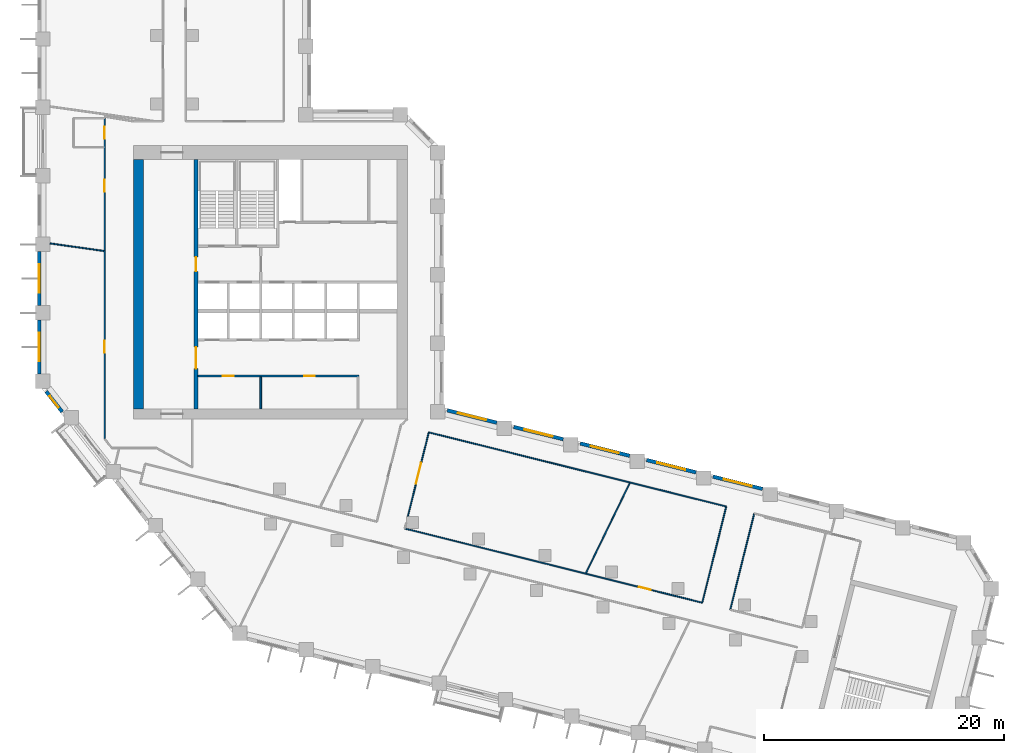
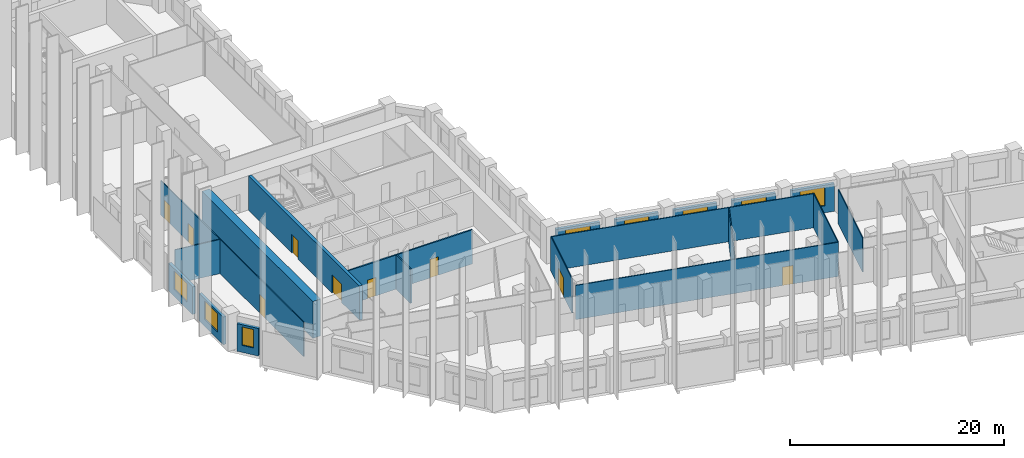
# One storey, part 4 of 10: 20 walls, 9 doors, 8 windows, 17 openings.
"""IFC4 building model written with IfcOpenShell, lengths in metres."""

from ifc_helpers import new_model, si_unit, direction, frame, frame_2d, origin, place, context, subcontext, project, spatial, rectangle, extrude, material, layer, layer_set, type_object, element, fill, save


model = new_model("IFC4")

# Units and contexts
model_context = context("Model", 3, precision=1e-05, world=origin(), true_north=direction((0.0, 1.0)))
body_context = subcontext(model_context, "Body", "Model", "MODEL_VIEW")
ifc_project = project(units=[si_unit("LENGTHUNIT", "METRE"), si_unit("AREAUNIT", "SQUARE_METRE"), si_unit("VOLUMEUNIT", "CUBIC_METRE"), si_unit("PLANEANGLEUNIT", "RADIAN"), si_unit("MASSUNIT", "GRAM", prefix="KILO")], contexts=[model_context])

# Site, building, storey
site_placement = place(None, origin())
site = spatial("IfcSite", under=ifc_project, at=site_placement, CompositionType="ELEMENT")
building_placement = place(site_placement, origin())
building = spatial("IfcBuilding", under=site, at=building_placement, Name="Meshkara Civic Tower", CompositionType="ELEMENT")
storey_placement = place(building_placement, frame((0.0, 0.0, 195.0)))
storey = spatial("IfcBuildingStorey", under=building, at=storey_placement, Name="L44", CompositionType="ELEMENT", Elevation=195.0)

# Wall, openings, doors
ifc_material_1 = material(Name="Blockwork", Category="masonry")
ifc_layer_1 = layer(ifc_material_1, 0.14990234375)
ifc_layer_set_1 = layer_set([ifc_layer_1], Name="Core partition 150")
wall_type_1 = type_object("IfcWallType", Name="Core partition 150", PredefinedType="PARTITIONING", material=ifc_layer_set_1)
wall_1_placement = place(storey_placement, frame((13.3701171875, 17.699951171875, 0.0), z_axis=(0.0, 0.0, 1.0), x_axis=(1.0, 0.0, 0.0)))
wall_1 = element("IfcWall", 1, at=wall_1_placement, inside=storey, type_object=wall_type_1, Name="L44-C005", PredefinedType="PARTITIONING", context=body_context, shape_type="SweptSolid", body=[
    extrude(rectangle(XDim=13.40478515625, YDim=0.14990234375, at=frame_2d((6.702392578125, 0.0))), origin(), (0.0, 0.0, 1.0), 3.89990234375),
])
opening_1_placement = place(wall_1_placement, frame((2.080078125, 0.0, 0.0)))
opening_1 = element("IfcOpeningElement", 2, at=opening_1_placement, cuts=wall_1, Name="Opening L44-K010", PredefinedType="OPENING", context=body_context, shape_type="SweptSolid", body=[
    extrude(rectangle(XDim=0.89990234375, YDim=2.10009765625, at=frame_2d((0.449951171875, 1.050048828125))), frame((0.0, 0.0849609375, 0.0), z_axis=(0.0, -1.0, 0.0), x_axis=(1.0, 0.0, 0.0)), (0.0, 0.0, 1.0), 0.169921875),
])
opening_2_placement = place(wall_1_placement, frame((8.830078125, 0.0, 0.0)))
opening_2 = element("IfcOpeningElement", 3, at=opening_2_placement, cuts=wall_1, Name="Opening L44-K011", PredefinedType="OPENING", context=body_context, shape_type="SweptSolid", body=[
    extrude(rectangle(XDim=0.89990234375, YDim=2.10009765625, at=frame_2d((0.449951171875, 1.050048828125))), frame((0.0, 0.0849609375, 0.0), z_axis=(0.0, -1.0, 0.0), x_axis=(1.0, 0.0, 0.0)), (0.0, 0.0, 1.0), 0.169921875),
])
ifc_material_2 = material(Name="Timber door leaf in steel frame", Category="steel")
door_type_1 = type_object("IfcDoorType", Name="Core room door 900", OperationType="SINGLE_SWING_LEFT", PredefinedType="DOOR", material=ifc_material_2)
door_1_placement = place(opening_1_placement, origin())
door_1 = element("IfcDoor", 4, at=door_1_placement, inside=storey, type_object=door_type_1, Name="L44-K010", OperationType="SINGLE_SWING_LEFT", OverallHeight=2.10009765625, OverallWidth=0.89990234375, PredefinedType="DOOR", context=body_context, shape_type="SweptSolid", body=[
    extrude(rectangle(XDim=0.89990234375, YDim=2.10009765625, at=frame_2d((0.449951171875, 1.050048828125))), frame((0.0, 0.02490234375, 0.0), z_axis=(0.0, -1.0, 0.0), x_axis=(1.0, 0.0, 0.0)), (0.0, 0.0, 1.0), 0.050048828125),
])
fill(opening_1, door_1)
door_2_placement = place(opening_2_placement, origin())
door_2 = element("IfcDoor", 5, at=door_2_placement, inside=storey, type_object=door_type_1, Name="L44-K011", OperationType="SINGLE_SWING_LEFT", OverallHeight=2.10009765625, OverallWidth=0.89990234375, PredefinedType="DOOR", context=body_context, shape_type="SweptSolid", body=[
    extrude(rectangle(XDim=0.89990234375, YDim=2.10009765625, at=frame_2d((0.449951171875, 1.050048828125))), frame((0.0, 0.02490234375, 0.0), z_axis=(0.0, -1.0, 0.0), x_axis=(1.0, 0.0, 0.0)), (0.0, 0.0, 1.0), 0.050048828125),
])
fill(opening_2, door_2)

# Walls
wall_2_placement = place(storey_placement, frame((18.60009765625, 14.949951171875, 0.0), z_axis=(0.0, 0.0, 1.0), x_axis=(0.0, 1.0, 0.0)))
element("IfcWall", 6, at=wall_2_placement, inside=storey, type_object=wall_type_1, Name="L44-C014", PredefinedType="PARTITIONING", context=body_context, shape_type="SweptSolid", body=[
    extrude(rectangle(XDim=2.675048828125, YDim=0.14990234375, at=frame_2d((1.33740234375, 0.0))), origin(), (0.0, 0.0, 1.0), 3.89990234375),
])
ifc_material_3 = material(Name="Concrete C70", Category="concrete")
ifc_layer_2 = layer(ifc_material_3, 0.85009765625)
ifc_layer_set_2 = layer_set([ifc_layer_2], Name="Core ring wall 850 C70")
wall_type_2 = type_object("IfcWallType", Name="Core ring wall 850 C70", PredefinedType="SHEAR", material=ifc_layer_set_2)
wall_3_placement = place(storey_placement, frame((8.425048828125, 14.949951171875, -0.300048828125), z_axis=(0.0, 0.0, 1.0), x_axis=(0.0, 1.0, 0.0)))
element("IfcWall", 7, at=wall_3_placement, inside=storey, type_object=wall_type_2, Name="L44-C003", PredefinedType="SHEAR", context=body_context, shape_type="SweptSolid", body=[
    extrude(rectangle(XDim=20.75, YDim=0.85009765625, at=frame_2d((10.375, 0.0))), origin(), (0.0, 0.0, 1.0), 4.199951171875),
])

# Wall, openings, doors
ifc_material_4 = material(Name="Concrete C70", Category="concrete")
ifc_layer_3 = layer(ifc_material_4, 0.340087890625)
ifc_layer_set_3 = layer_set([ifc_layer_3], Name="Core shear wall 340 C70")
wall_type_3 = type_object("IfcWallType", Name="Core shear wall 340 C70", PredefinedType="SHEAR", material=ifc_layer_set_3)
wall_4_placement = place(storey_placement, frame((13.199951171875, 14.949951171875, 0.0), z_axis=(0.0, 0.0, 1.0), x_axis=(0.0, 1.0, 0.0)))
wall_4 = element("IfcWall", 8, at=wall_4_placement, inside=storey, type_object=wall_type_3, Name="L44-C011", PredefinedType="SHEAR", context=body_context, shape_type="SweptSolid", body=[
    extrude(rectangle(XDim=20.75, YDim=0.340087890625, at=frame_2d((10.375, 0.0))), origin(), (0.0, 0.0, 1.0), 3.89990234375),
])
opening_3_placement = place(wall_4_placement, frame((3.35009765625, 0.0, 0.0)))
opening_3 = element("IfcOpeningElement", 9, at=opening_3_placement, cuts=wall_4, Name="Opening L44-K017", PredefinedType="OPENING", context=body_context, shape_type="SweptSolid", body=[
    extrude(rectangle(XDim=1.800048828125, YDim=2.10009765625, at=frame_2d((0.89990234375, 1.050048828125))), frame((0.0, 0.179931640625, 0.0), z_axis=(0.0, -1.0, 0.0), x_axis=(1.0, 0.0, 0.0)), (0.0, 0.0, 1.0), 0.360107421875),
])
opening_4_placement = place(wall_4_placement, frame((11.449951171875, 0.0, 0.0)))
opening_4 = element("IfcOpeningElement", 10, at=opening_4_placement, cuts=wall_4, Name="Opening L44-K018", PredefinedType="OPENING", context=body_context, shape_type="SweptSolid", body=[
    extrude(rectangle(XDim=1.199951171875, YDim=2.10009765625, at=frame_2d((0.60009765625, 1.050048828125))), frame((0.0, 0.179931640625, 0.0), z_axis=(0.0, -1.0, 0.0), x_axis=(1.0, 0.0, 0.0)), (0.0, 0.0, 1.0), 0.360107421875),
])
ifc_material_5 = material(Name="Fire-rated door leaf in steel frame", Category="steel")
door_type_2 = type_object("IfcDoorType", Name="Core double door 1800 EI 60", OperationType="DOUBLE_DOOR_SINGLE_SWING", PredefinedType="DOOR", material=ifc_material_5)
door_3_placement = place(opening_3_placement, origin())
door_3 = element("IfcDoor", 11, at=door_3_placement, inside=storey, type_object=door_type_2, Name="L44-K017", OperationType="DOUBLE_DOOR_SINGLE_SWING", OverallHeight=2.10009765625, OverallWidth=1.800048828125, PredefinedType="DOOR", context=body_context, shape_type="SweptSolid", body=[
    extrude(rectangle(XDim=1.800048828125, YDim=2.10009765625, at=frame_2d((0.89990234375, 1.050048828125))), frame((0.0, 0.02490234375, 0.0), z_axis=(0.0, -1.0, 0.0), x_axis=(1.0, 0.0, 0.0)), (0.0, 0.0, 1.0), 0.050048828125),
])
fill(opening_3, door_3)
ifc_material_6 = material(Name="Fire-rated door leaf in steel frame", Category="steel")
door_type_3 = type_object("IfcDoorType", Name="Fire-fighting lobby door 1200 EI 120", OperationType="SINGLE_SWING_LEFT", PredefinedType="DOOR", material=ifc_material_6)
door_4_placement = place(opening_4_placement, origin())
door_4 = element("IfcDoor", 12, at=door_4_placement, inside=storey, type_object=door_type_3, Name="L44-K018", OperationType="SINGLE_SWING_LEFT", OverallHeight=2.10009765625, OverallWidth=1.199951171875, PredefinedType="DOOR", context=body_context, shape_type="SweptSolid", body=[
    extrude(rectangle(XDim=1.199951171875, YDim=2.10009765625, at=frame_2d((0.60009765625, 1.050048828125))), frame((0.0, 0.02490234375, 0.0), z_axis=(0.0, -1.0, 0.0), x_axis=(1.0, 0.0, 0.0)), (0.0, 0.0, 1.0), 0.050048828125),
])
fill(opening_4, door_4)

ifc_material_7 = material(Name="Corridor wall 100")
ifc_layer_4 = layer(ifc_material_7, 0.10009765625)
ifc_layer_set_4 = layer_set([ifc_layer_4], Name="Corridor wall 100")
wall_type_4 = type_object("IfcWallType", Name="Corridor wall 100", PredefinedType="PARTITIONING", material=ifc_layer_set_4)
wall_5_placement = place(storey_placement, frame((5.60009765625, 12.450927734375, 0.0), z_axis=(0.0, 0.0, 1.0), x_axis=(0.0, 1.0, 0.0)))
wall_5 = element("IfcWall", 13, at=wall_5_placement, inside=storey, type_object=wall_type_4, Name="L44-W003", PredefinedType="PARTITIONING", context=body_context, shape_type="SweptSolid", body=[
    extrude(rectangle(XDim=26.698974609375, YDim=0.10009765625, at=frame_2d((13.349609375, 0.0))), origin(), (0.0, 0.0, 1.0), 3.89990234375),
])
opening_5_placement = place(wall_5_placement, frame((7.169921875, 0.0, 0.0)))
opening_5 = element("IfcOpeningElement", 14, at=opening_5_placement, cuts=wall_5, Name="Opening L44-D014", PredefinedType="OPENING", context=body_context, shape_type="SweptSolid", body=[
    extrude(rectangle(XDim=1.0, YDim=2.10009765625, at=frame_2d((0.5, 1.050048828125))), frame((0.0, 0.06005859375, 0.0), z_axis=(0.0, -1.0, 0.0), x_axis=(1.0, 0.0, 0.0)), (0.0, 0.0, 1.0), 0.1201171875),
])
opening_6_placement = place(wall_5_placement, frame((20.569091796875, 0.0, 0.0)))
opening_6 = element("IfcOpeningElement", 15, at=opening_6_placement, cuts=wall_5, Name="Opening L44-D015", PredefinedType="OPENING", context=body_context, shape_type="SweptSolid", body=[
    extrude(rectangle(XDim=1.0, YDim=2.10009765625, at=frame_2d((0.5, 1.050048828125))), frame((0.0, 0.06005859375, 0.0), z_axis=(0.0, -1.0, 0.0), x_axis=(1.0, 0.0, 0.0)), (0.0, 0.0, 1.0), 0.1201171875),
])
opening_7_placement = place(wall_5_placement, frame((24.97900390625, 0.0, 0.0)))
opening_7 = element("IfcOpeningElement", 16, at=opening_7_placement, cuts=wall_5, Name="Opening L44-D016", PredefinedType="OPENING", context=body_context, shape_type="SweptSolid", body=[
    extrude(rectangle(XDim=1.0, YDim=2.10009765625, at=frame_2d((0.5, 1.050048828125))), frame((0.0, 0.06005859375, 0.0), z_axis=(0.0, -1.0, 0.0), x_axis=(1.0, 0.0, 0.0)), (0.0, 0.0, 1.0), 0.1201171875),
])
ifc_material_8 = material(Name="Door 1000 x 2100")
door_type_4 = type_object("IfcDoorType", Name="Door 1000 x 2100", OperationType="SINGLE_SWING_LEFT", PredefinedType="DOOR", material=ifc_material_8)
door_5_placement = place(opening_5_placement, origin())
door_5 = element("IfcDoor", 17, at=door_5_placement, inside=storey, type_object=door_type_4, Name="L44-D014", OperationType="SINGLE_SWING_LEFT", OverallHeight=2.10009765625, OverallWidth=1.0, PredefinedType="DOOR", context=body_context, shape_type="SweptSolid", body=[
    extrude(rectangle(XDim=1.0, YDim=2.10009765625, at=frame_2d((0.5, 1.050048828125))), frame((0.0, 0.02490234375, 0.0), z_axis=(0.0, -1.0, 0.0), x_axis=(1.0, 0.0, 0.0)), (0.0, 0.0, 1.0), 0.050048828125),
])
fill(opening_5, door_5)
door_6_placement = place(opening_6_placement, origin())
door_6 = element("IfcDoor", 18, at=door_6_placement, inside=storey, type_object=door_type_4, Name="L44-D015", OperationType="SINGLE_SWING_LEFT", OverallHeight=2.10009765625, OverallWidth=1.0, PredefinedType="DOOR", context=body_context, shape_type="SweptSolid", body=[
    extrude(rectangle(XDim=1.0, YDim=2.10009765625, at=frame_2d((0.5, 1.050048828125))), frame((0.0, 0.02490234375, 0.0), z_axis=(0.0, -1.0, 0.0), x_axis=(1.0, 0.0, 0.0)), (0.0, 0.0, 1.0), 0.050048828125),
])
fill(opening_6, door_6)
door_7_placement = place(opening_7_placement, origin())
door_7 = element("IfcDoor", 19, at=door_7_placement, inside=storey, type_object=door_type_4, Name="L44-D016", OperationType="SINGLE_SWING_LEFT", OverallHeight=2.10009765625, OverallWidth=1.0, PredefinedType="DOOR", context=body_context, shape_type="SweptSolid", body=[
    extrude(rectangle(XDim=1.0, YDim=2.10009765625, at=frame_2d((0.5, 1.050048828125))), frame((0.0, 0.02490234375, 0.0), z_axis=(0.0, -1.0, 0.0), x_axis=(1.0, 0.0, 0.0)), (0.0, 0.0, 1.0), 0.050048828125),
])
fill(opening_7, door_7)

# Wall, opening, door
wall_6_placement = place(storey_placement, frame((30.590087890625, 4.991943359375, 0.0), z_axis=(0.0, 0.0, 1.0), x_axis=(0.97028916255, -0.241948219746, 0.0)))
wall_6 = element("IfcWall", 20, at=wall_6_placement, inside=storey, type_object=wall_type_4, Name="L44-W024", PredefinedType="PARTITIONING", context=body_context, shape_type="SweptSolid", body=[
    extrude(rectangle(XDim=25.526123046875, YDim=0.10009765625, at=frame_2d((12.76318359375, 0.0))), origin(), (0.0, 0.0, 1.0), 3.89990234375),
])
opening_8_placement = place(wall_6_placement, frame((20.10107421875, 0.0, 0.0)))
opening_8 = element("IfcOpeningElement", 21, at=opening_8_placement, cuts=wall_6, Name="Opening L44-D008", PredefinedType="OPENING", context=body_context, shape_type="SweptSolid", body=[
    extrude(rectangle(XDim=1.0, YDim=2.10009765625, at=frame_2d((0.5, 1.050048828125))), frame((0.0, 0.06005859375, 0.0), z_axis=(0.0, -1.0, 0.0), x_axis=(1.0, 0.0, 0.0)), (0.0, 0.0, 1.0), 0.1201171875),
])
door_8_placement = place(opening_8_placement, origin())
door_8 = element("IfcDoor", 22, at=door_8_placement, inside=storey, type_object=door_type_4, Name="L44-D008", OperationType="SINGLE_SWING_RIGHT", OverallHeight=2.10009765625, OverallWidth=1.0, PredefinedType="DOOR", context=body_context, shape_type="SweptSolid", body=[
    extrude(rectangle(XDim=1.0, YDim=2.10009765625, at=frame_2d((0.5, 1.050048828125))), frame((0.0, 0.02490234375, 0.0), z_axis=(0.0, -1.0, 0.0), x_axis=(1.0, 0.0, 0.0)), (0.0, 0.0, 1.0), 0.050048828125),
])
fill(opening_8, door_8)

wall_7_placement = place(storey_placement, frame((30.844970703125, 6.012939453125, 0.0), z_axis=(0.0, 0.0, 1.0), x_axis=(0.241969354343, 0.97028389225, 0.0)))
wall_7 = element("IfcWall", 23, at=wall_7_placement, inside=storey, type_object=wall_type_4, Name="L44-W027", PredefinedType="PARTITIONING", context=body_context, shape_type="SweptSolid", body=[
    extrude(rectangle(XDim=7.203125, YDim=0.10009765625, at=frame_2d((3.6015625, 0.0))), origin(), (0.0, 0.0, 1.0), 3.89990234375),
])
opening_9_placement = place(wall_7_placement, frame((2.780029296875, 0.0, 0.0)))
opening_9 = element("IfcOpeningElement", 24, at=opening_9_placement, cuts=wall_7, Name="Opening L44-D013", PredefinedType="OPENING", context=body_context, shape_type="SweptSolid", body=[
    extrude(rectangle(XDim=1.800048828125, YDim=2.10009765625, at=frame_2d((0.89990234375, 1.050048828125))), frame((0.0, 0.06005859375, 0.0), z_axis=(0.0, -1.0, 0.0), x_axis=(1.0, 0.0, 0.0)), (0.0, 0.0, 1.0), 0.1201171875),
])
ifc_material_9 = material(Name="Door pair 1800 x 2100")
door_type_5 = type_object("IfcDoorType", Name="Door pair 1800 x 2100", OperationType="SINGLE_SWING_LEFT", PredefinedType="DOOR", material=ifc_material_9)
door_9_placement = place(opening_9_placement, origin())
door_9 = element("IfcDoor", 25, at=door_9_placement, inside=storey, type_object=door_type_5, Name="L44-D013", OperationType="DOUBLE_DOOR_SINGLE_SWING", OverallHeight=2.10009765625, OverallWidth=1.800048828125, PredefinedType="DOOR", context=body_context, shape_type="SweptSolid", body=[
    extrude(rectangle(XDim=1.800048828125, YDim=2.10009765625, at=frame_2d((0.89990234375, 1.050048828125))), frame((0.0, 0.02490234375, 0.0), z_axis=(0.0, -1.0, 0.0), x_axis=(1.0, 0.0, 0.0)), (0.0, 0.0, 1.0), 0.050048828125),
])
fill(opening_9, door_9)

# Walls
wall_8_placement = place(storey_placement, frame((32.587890625, 13.001953125, 0.0), z_axis=(0.0, 0.0, 1.0), x_axis=(0.970296463981, -0.241918936808, 0.0)))
element("IfcWall", 26, at=wall_8_placement, inside=storey, type_object=wall_type_4, Name="L44-W028", PredefinedType="PARTITIONING", context=body_context, shape_type="SweptSolid", body=[
    extrude(rectangle(XDim=25.525390625, YDim=0.10009765625, at=frame_2d((12.7626953125, 0.0))), origin(), (0.0, 0.0, 1.0), 3.89990234375),
])
wall_9_placement = place(storey_placement, frame((57.35498046875, 6.826904296875, 0.0), z_axis=(0.0, 0.0, 1.0), x_axis=(-0.241888494143, -0.970304053584, 0.0)))
element("IfcWall", 27, at=wall_9_placement, inside=storey, type_object=wall_type_4, Name="L44-W029", PredefinedType="PARTITIONING", context=body_context, shape_type="SweptSolid", body=[
    extrude(rectangle(XDim=8.256103515625, YDim=0.10009765625, at=frame_2d((4.1279296875, 0.0))), origin(), (0.0, 0.0, 1.0), 3.89990234375),
])
wall_10_placement = place(storey_placement, frame((57.68701171875, -1.763916015625, 0.0), z_axis=(0.0, 0.0, 1.0), x_axis=(0.24191625886, 0.970297131656, 0.0)))
element("IfcWall", 28, at=wall_10_placement, inside=storey, type_object=wall_type_4, Name="L44-W030", PredefinedType="PARTITIONING", context=body_context, shape_type="SweptSolid", body=[
    extrude(rectangle(XDim=8.255126953125, YDim=0.10009765625, at=frame_2d((4.12744140625, 0.0))), origin(), (0.0, 0.0, 1.0), 3.89990234375),
])

# Wall, opening, window
ifc_material_10 = material(Name="Insulated infill panel with bronze anodised aluminium cladding", Category="aluminium")
ifc_layer_5 = layer(ifc_material_10, 0.300048828125)
ifc_layer_set_5 = layer_set([ifc_layer_5], Name="EXTERNAL INFILL WALL 300")
wall_type_5 = type_object("IfcWallType", Name="EXTERNAL INFILL WALL 300", PredefinedType="SOLIDWALL", material=ifc_layer_set_5)
wall_11_placement = place(storey_placement, frame((60.3701171875, 8.291015625, 0.0), z_axis=(0.0, 0.0, 1.0), x_axis=(-0.970291164166, 0.241940192487, 0.0)))
wall_11 = element("IfcWall", 29, at=wall_11_placement, inside=storey, type_object=wall_type_5, Name="External wall", PredefinedType="SOLIDWALL", context=body_context, shape_type="SweptSolid", body=[
    extrude(rectangle(XDim=4.245361328125, YDim=0.300048828125, at=frame_2d((2.12255859375, 0.0))), origin(), (0.0, 0.0, 1.0), 3.14990234375),
])
opening_10_placement = place(wall_11_placement, frame((0.922119140625, 0.0, 0.800048828125)))
opening_10 = element("IfcOpeningElement", 30, at=opening_10_placement, cuts=wall_11, Name="Opening W7", PredefinedType="OPENING", context=body_context, shape_type="SweptSolid", body=[
    extrude(rectangle(XDim=2.39990234375, YDim=2.10009765625, at=frame_2d((1.199951171875, 1.050048828125))), frame((0.0, 0.159912109375, 0.0), z_axis=(0.0, -1.0, 0.0), x_axis=(1.0, 0.0, 0.0)), (0.0, 0.0, 1.0), 0.320068359375),
])
ifc_material_11 = material(Name="Tinted double glazing", Category="glass")
window_type_1 = type_object("IfcWindowType", Name="WINDOW 2400x2100", PartitioningType="DOUBLE_PANEL_VERTICAL", PredefinedType="WINDOW", material=ifc_material_11)
window_1_placement = place(opening_10_placement, origin())
window_1 = element("IfcWindow", 31, at=window_1_placement, inside=storey, type_object=window_type_1, Name="Window", OverallHeight=2.10009765625, OverallWidth=2.39990234375, PartitioningType="DOUBLE_PANEL_VERTICAL", PredefinedType="WINDOW", context=body_context, shape_type="SweptSolid", body=[
    extrude(rectangle(XDim=2.39990234375, YDim=2.10009765625, at=frame_2d((1.199951171875, 1.050048828125))), frame((0.0, 0.030029296875, 0.0), z_axis=(0.0, -1.0, 0.0), x_axis=(1.0, 0.0, 0.0)), (0.0, 0.0, 1.0), 0.06005859375),
])
fill(opening_10, window_1)

wall_12_placement = place(storey_placement, frame((54.840087890625, 9.669921875, 0.0), z_axis=(0.0, 0.0, 1.0), x_axis=(-0.97030462482, 0.241886202691, 0.0)))
wall_12 = element("IfcWall", 32, at=wall_12_placement, inside=storey, type_object=wall_type_5, Name="External wall", PredefinedType="SOLIDWALL", context=body_context, shape_type="SweptSolid", body=[
    extrude(rectangle(XDim=4.24609375, YDim=0.300048828125, at=frame_2d((2.123046875, 0.0))), origin(), (0.0, 0.0, 1.0), 3.14990234375),
])
opening_11_placement = place(wall_12_placement, frame((0.923095703125, 0.0, 0.800048828125)))
opening_11 = element("IfcOpeningElement", 33, at=opening_11_placement, cuts=wall_12, Name="Opening W7", PredefinedType="OPENING", context=body_context, shape_type="SweptSolid", body=[
    extrude(rectangle(XDim=2.39990234375, YDim=2.10009765625, at=frame_2d((1.199951171875, 1.050048828125))), frame((0.0, 0.159912109375, 0.0), z_axis=(0.0, -1.0, 0.0), x_axis=(1.0, 0.0, 0.0)), (0.0, 0.0, 1.0), 0.320068359375),
])
window_2_placement = place(opening_11_placement, origin())
window_2 = element("IfcWindow", 34, at=window_2_placement, inside=storey, type_object=window_type_1, Name="Window", OverallHeight=2.10009765625, OverallWidth=2.39990234375, PartitioningType="DOUBLE_PANEL_VERTICAL", PredefinedType="WINDOW", context=body_context, shape_type="SweptSolid", body=[
    extrude(rectangle(XDim=2.39990234375, YDim=2.10009765625, at=frame_2d((1.199951171875, 1.050048828125))), frame((0.0, 0.030029296875, 0.0), z_axis=(0.0, -1.0, 0.0), x_axis=(1.0, 0.0, 0.0)), (0.0, 0.0, 1.0), 0.06005859375),
])
fill(opening_11, window_2)

wall_13_placement = place(storey_placement, frame((49.30908203125, 11.049072265625, 0.0), z_axis=(0.0, 0.0, 1.0), x_axis=(-0.970264129329, 0.242048588793, 0.0)))
wall_13 = element("IfcWall", 35, at=wall_13_placement, inside=storey, type_object=wall_type_5, Name="External wall", PredefinedType="SOLIDWALL", context=body_context, shape_type="SweptSolid", body=[
    extrude(rectangle(XDim=4.246337890625, YDim=0.300048828125, at=frame_2d((2.123046875, 0.0))), origin(), (0.0, 0.0, 1.0), 3.14990234375),
])
opening_12_placement = place(wall_13_placement, frame((0.923095703125, 0.0, 0.800048828125)))
opening_12 = element("IfcOpeningElement", 36, at=opening_12_placement, cuts=wall_13, Name="Opening W7", PredefinedType="OPENING", context=body_context, shape_type="SweptSolid", body=[
    extrude(rectangle(XDim=2.39990234375, YDim=2.10009765625, at=frame_2d((1.199951171875, 1.050048828125))), frame((0.0, 0.159912109375, 0.0), z_axis=(0.0, -1.0, 0.0), x_axis=(1.0, 0.0, 0.0)), (0.0, 0.0, 1.0), 0.320068359375),
])
window_3_placement = place(opening_12_placement, origin())
window_3 = element("IfcWindow", 37, at=window_3_placement, inside=storey, type_object=window_type_1, Name="Window", OverallHeight=2.10009765625, OverallWidth=2.39990234375, PartitioningType="DOUBLE_PANEL_VERTICAL", PredefinedType="WINDOW", context=body_context, shape_type="SweptSolid", body=[
    extrude(rectangle(XDim=2.39990234375, YDim=2.10009765625, at=frame_2d((1.199951171875, 1.050048828125))), frame((0.0, 0.030029296875, 0.0), z_axis=(0.0, -1.0, 0.0), x_axis=(1.0, 0.0, 0.0)), (0.0, 0.0, 1.0), 0.06005859375),
])
fill(opening_12, window_3)

wall_14_placement = place(storey_placement, frame((43.778076171875, 12.427978515625, 0.0), z_axis=(0.0, 0.0, 1.0), x_axis=(-0.970291164166, 0.241940192487, 0.0)))
wall_14 = element("IfcWall", 38, at=wall_14_placement, inside=storey, type_object=wall_type_5, Name="External wall", PredefinedType="SOLIDWALL", context=body_context, shape_type="SweptSolid", body=[
    extrude(rectangle(XDim=4.245361328125, YDim=0.300048828125, at=frame_2d((2.12255859375, 0.0))), origin(), (0.0, 0.0, 1.0), 3.14990234375),
])
opening_13_placement = place(wall_14_placement, frame((0.922119140625, 0.0, 0.800048828125)))
opening_13 = element("IfcOpeningElement", 39, at=opening_13_placement, cuts=wall_14, Name="Opening W7", PredefinedType="OPENING", context=body_context, shape_type="SweptSolid", body=[
    extrude(rectangle(XDim=2.39990234375, YDim=2.10009765625, at=frame_2d((1.199951171875, 1.050048828125))), frame((0.0, 0.159912109375, 0.0), z_axis=(0.0, -1.0, 0.0), x_axis=(1.0, 0.0, 0.0)), (0.0, 0.0, 1.0), 0.320068359375),
])
window_4_placement = place(opening_13_placement, origin())
window_4 = element("IfcWindow", 40, at=window_4_placement, inside=storey, type_object=window_type_1, Name="Window", OverallHeight=2.10009765625, OverallWidth=2.39990234375, PartitioningType="DOUBLE_PANEL_VERTICAL", PredefinedType="WINDOW", context=body_context, shape_type="SweptSolid", body=[
    extrude(rectangle(XDim=2.39990234375, YDim=2.10009765625, at=frame_2d((1.199951171875, 1.050048828125))), frame((0.0, 0.030029296875, 0.0), z_axis=(0.0, -1.0, 0.0), x_axis=(1.0, 0.0, 0.0)), (0.0, 0.0, 1.0), 0.06005859375),
])
fill(opening_13, window_4)

wall_15_placement = place(storey_placement, frame((38.248046875, 13.806884765625, 0.0), z_axis=(0.0, 0.0, 1.0), x_axis=(-0.970250625545, 0.242102712975, 0.0)))
wall_15 = element("IfcWall", 41, at=wall_15_placement, inside=storey, type_object=wall_type_5, Name="External wall", PredefinedType="SOLIDWALL", context=body_context, shape_type="SweptSolid", body=[
    extrude(rectangle(XDim=4.246337890625, YDim=0.300048828125, at=frame_2d((2.123046875, 0.0))), origin(), (0.0, 0.0, 1.0), 3.14990234375),
])
opening_14_placement = place(wall_15_placement, frame((0.923095703125, 0.0, 0.800048828125)))
opening_14 = element("IfcOpeningElement", 42, at=opening_14_placement, cuts=wall_15, Name="Opening W7", PredefinedType="OPENING", context=body_context, shape_type="SweptSolid", body=[
    extrude(rectangle(XDim=2.39990234375, YDim=2.10009765625, at=frame_2d((1.199951171875, 1.050048828125))), frame((0.0, 0.159912109375, 0.0), z_axis=(0.0, -1.0, 0.0), x_axis=(1.0, 0.0, 0.0)), (0.0, 0.0, 1.0), 0.320068359375),
])
window_5_placement = place(opening_14_placement, origin())
window_5 = element("IfcWindow", 43, at=window_5_placement, inside=storey, type_object=window_type_1, Name="Window", OverallHeight=2.10009765625, OverallWidth=2.39990234375, PartitioningType="DOUBLE_PANEL_VERTICAL", PredefinedType="WINDOW", context=body_context, shape_type="SweptSolid", body=[
    extrude(rectangle(XDim=2.39990234375, YDim=2.10009765625, at=frame_2d((1.199951171875, 1.050048828125))), frame((0.0, 0.030029296875, 0.0), z_axis=(0.0, -1.0, 0.0), x_axis=(1.0, 0.0, 0.0)), (0.0, 0.0, 1.0), 0.06005859375),
])
fill(opening_14, window_5)

wall_16_placement = place(storey_placement, frame((0.14990234375, 28.054931640625, 0.0), z_axis=(0.0, 0.0, 1.0), x_axis=(0.0, -1.0, 0.0)))
wall_16 = element("IfcWall", 44, at=wall_16_placement, inside=storey, type_object=wall_type_5, Name="External wall", PredefinedType="SOLIDWALL", context=body_context, shape_type="SweptSolid", body=[
    extrude(rectangle(XDim=4.5, YDim=0.300048828125, at=frame_2d((2.25, 0.0))), origin(), (0.0, 0.0, 1.0), 3.14990234375),
])
opening_15_placement = place(wall_16_placement, frame((1.050048828125, 0.0, 0.800048828125)))
opening_15 = element("IfcOpeningElement", 45, at=opening_15_placement, cuts=wall_16, Name="Opening W7", PredefinedType="OPENING", context=body_context, shape_type="SweptSolid", body=[
    extrude(rectangle(XDim=2.39990234375, YDim=2.10009765625, at=frame_2d((1.199951171875, 1.050048828125))), frame((0.0, 0.159912109375, 0.0), z_axis=(0.0, -1.0, 0.0), x_axis=(1.0, 0.0, 0.0)), (0.0, 0.0, 1.0), 0.320068359375),
])
window_6_placement = place(opening_15_placement, origin())
window_6 = element("IfcWindow", 46, at=window_6_placement, inside=storey, type_object=window_type_1, Name="Window", OverallHeight=2.10009765625, OverallWidth=2.39990234375, PartitioningType="DOUBLE_PANEL_VERTICAL", PredefinedType="WINDOW", context=body_context, shape_type="SweptSolid", body=[
    extrude(rectangle(XDim=2.39990234375, YDim=2.10009765625, at=frame_2d((1.199951171875, 1.050048828125))), frame((0.0, 0.030029296875, 0.0), z_axis=(0.0, -1.0, 0.0), x_axis=(1.0, 0.0, 0.0)), (0.0, 0.0, 1.0), 0.06005859375),
])
fill(opening_15, window_6)

wall_17_placement = place(storey_placement, frame((0.14990234375, 22.35498046875, 0.0), z_axis=(0.0, 0.0, 1.0), x_axis=(0.0, -1.0, 0.0)))
wall_17 = element("IfcWall", 47, at=wall_17_placement, inside=storey, type_object=wall_type_5, Name="External wall", PredefinedType="SOLIDWALL", context=body_context, shape_type="SweptSolid", body=[
    extrude(rectangle(XDim=4.5, YDim=0.300048828125, at=frame_2d((2.25, 0.0))), origin(), (0.0, 0.0, 1.0), 3.14990234375),
])
opening_16_placement = place(wall_17_placement, frame((1.050048828125, 0.0, 0.800048828125)))
opening_16 = element("IfcOpeningElement", 48, at=opening_16_placement, cuts=wall_17, Name="Opening W7", PredefinedType="OPENING", context=body_context, shape_type="SweptSolid", body=[
    extrude(rectangle(XDim=2.39990234375, YDim=2.10009765625, at=frame_2d((1.199951171875, 1.050048828125))), frame((0.0, 0.159912109375, 0.0), z_axis=(0.0, -1.0, 0.0), x_axis=(1.0, 0.0, 0.0)), (0.0, 0.0, 1.0), 0.320068359375),
])
window_7_placement = place(opening_16_placement, origin())
window_7 = element("IfcWindow", 49, at=window_7_placement, inside=storey, type_object=window_type_1, Name="Window", OverallHeight=2.10009765625, OverallWidth=2.39990234375, PartitioningType="DOUBLE_PANEL_VERTICAL", PredefinedType="WINDOW", context=body_context, shape_type="SweptSolid", body=[
    extrude(rectangle(XDim=2.39990234375, YDim=2.10009765625, at=frame_2d((1.199951171875, 1.050048828125))), frame((0.0, 0.030029296875, 0.0), z_axis=(0.0, -1.0, 0.0), x_axis=(1.0, 0.0, 0.0)), (0.0, 0.0, 1.0), 0.06005859375),
])
fill(opening_16, window_7)

wall_18_placement = place(storey_placement, frame((0.73193359375, 16.406982421875, 0.0), z_axis=(0.0, 0.0, 1.0), x_axis=(0.615593496459, -0.788063859797, 0.0)))
wall_18 = element("IfcWall", 50, at=wall_18_placement, inside=storey, type_object=wall_type_5, Name="External wall", PredefinedType="SOLIDWALL", context=body_context, shape_type="SweptSolid", body=[
    extrude(rectangle(XDim=2.156005859375, YDim=0.300048828125, at=frame_2d((1.078125, 0.0))), origin(), (0.0, 0.0, 1.0), 3.14990234375),
])
opening_17_placement = place(wall_18_placement, frame((0.47802734375, 0.0, 0.800048828125)))
opening_17 = element("IfcOpeningElement", 51, at=opening_17_placement, cuts=wall_18, Name="Opening W3", PredefinedType="OPENING", context=body_context, shape_type="SweptSolid", body=[
    extrude(rectangle(XDim=1.199951171875, YDim=2.10009765625, at=frame_2d((0.60009765625, 1.050048828125))), frame((0.0, 0.159912109375, 0.0), z_axis=(0.0, -1.0, 0.0), x_axis=(1.0, 0.0, 0.0)), (0.0, 0.0, 1.0), 0.320068359375),
])
ifc_material_12 = material(Name="Tinted double glazing", Category="glass")
window_type_2 = type_object("IfcWindowType", Name="WINDOW 1200x2100", PartitioningType="SINGLE_PANEL", PredefinedType="WINDOW", material=ifc_material_12)
window_8_placement = place(opening_17_placement, origin())
window_8 = element("IfcWindow", 52, at=window_8_placement, inside=storey, type_object=window_type_2, Name="Window", OverallHeight=2.10009765625, OverallWidth=1.199951171875, PartitioningType="SINGLE_PANEL", PredefinedType="WINDOW", context=body_context, shape_type="SweptSolid", body=[
    extrude(rectangle(XDim=1.199951171875, YDim=2.10009765625, at=frame_2d((0.60009765625, 1.050048828125))), frame((0.0, 0.030029296875, 0.0), z_axis=(0.0, -1.0, 0.0), x_axis=(1.0, 0.0, 0.0)), (0.0, 0.0, 1.0), 0.06005859375),
])
fill(opening_17, window_8)

# Walls
ifc_material_13 = material(Name="Partition 100")
ifc_layer_6 = layer(ifc_material_13, 0.10009765625)
ifc_layer_set_6 = layer_set([ifc_layer_6], Name="Partition 100")
wall_type_6 = type_object("IfcWallType", Name="Partition 100", PredefinedType="PARTITIONING", material=ifc_layer_set_6)
wall_19_placement = place(storey_placement, frame((5.54296875, 28.10107421875, 0.0), z_axis=(0.0, 0.0, 1.0), x_axis=(-0.990255999125, 0.139258953743, 0.0)))
element("IfcWall", 53, at=wall_19_placement, inside=storey, type_object=wall_type_6, Name="L44-W045", PredefinedType="PARTITIONING", context=body_context, shape_type="SweptSolid", body=[
    extrude(rectangle(XDim=4.537109375, YDim=0.10009765625, at=frame_2d((2.2685546875, 0.0))), origin(), (0.0, 0.0, 1.0), 3.89990234375),
])
wall_20_placement = place(storey_placement, frame((45.677001953125, 1.2919921875, 0.0), z_axis=(0.0, 0.0, 1.0), x_axis=(0.438339199697, 0.898809627234, 0.0)))
element("IfcWall", 54, at=wall_20_placement, inside=storey, type_object=wall_type_6, Name="L44-W055", PredefinedType="PARTITIONING", context=body_context, shape_type="SweptSolid", body=[
    extrude(rectangle(XDim=8.31787109375, YDim=0.10009765625, at=frame_2d((4.158935546875, 0.0))), origin(), (0.0, 0.0, 1.0), 3.89990234375),
])

save(model, "model.ifc")
